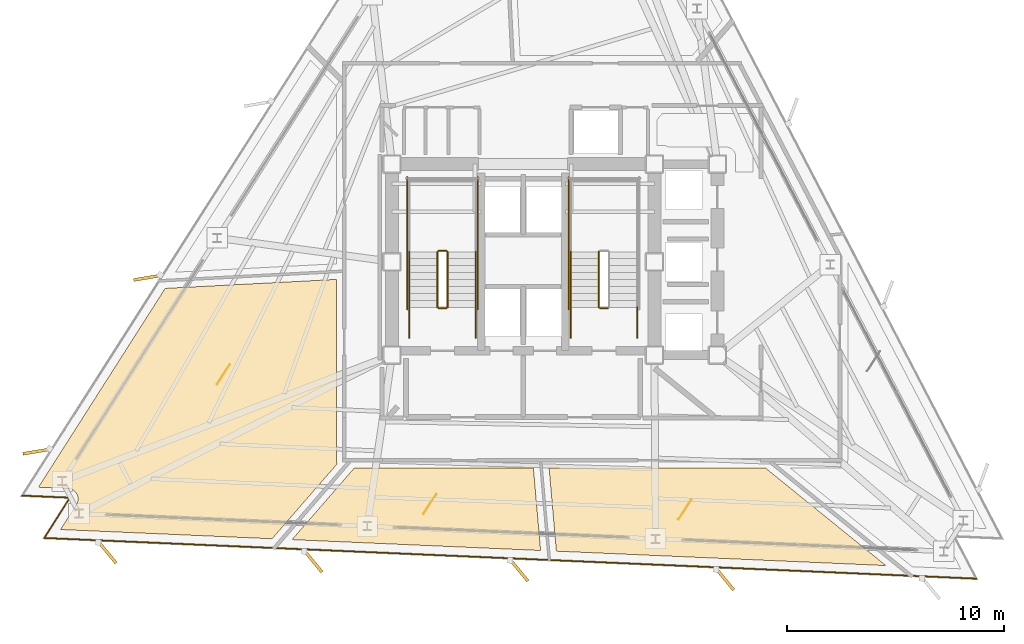
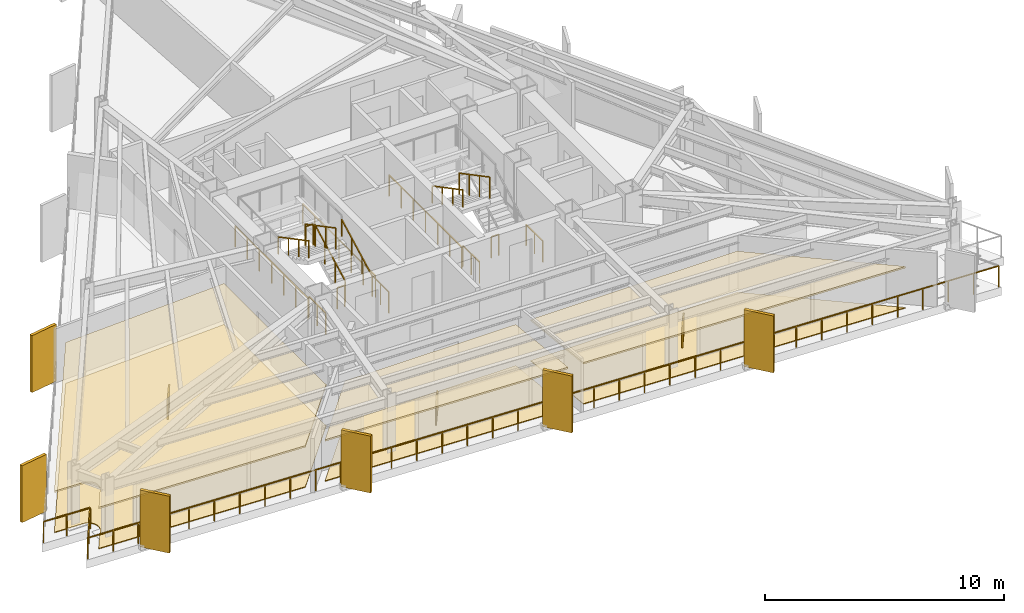
# One storey, part 10 of 12: 17 railings, 9 coverings, 6 shading devices.
"""IFC4 building model written with IfcOpenShell, lengths in metres."""

import ifcopenshell
import ifcopenshell.guid

model = None  # the IFC model being written
_history = None  # IfcOwnerHistory: only IFC2X3 demands one
_inside = {}  # id of a spatial element -> (the spatial element, [elements in it])
_under = {}  # id of a project, library or spatial element -> (it, [spatial elements below it])
_declared = {}  # id of a project -> (the project, [libraries it declares])
_typed = {}  # id of a type object -> (the type object, [elements of that type])
_made_of = {}  # id of a material, layer set ... -> (it, [elements and type objects made of it])


def new_model(schema):
    """Start an empty IFC model of exactly this schema.

    Asked for "IFC4X3", IfcOpenShell would pick the latest addendum, in which some entities
    have other attributes; the version numbers below select the first issue.
    IFC2X3 requires an IfcOwnerHistory on every rooted entity: one is made here for all.
    """
    global model, _history
    if schema == "IFC4X3":
        model = ifcopenshell.file(schema_version=(4, 3, 0, 0))
    else:
        model = ifcopenshell.file(schema=schema)
    _inside.clear()
    _under.clear()
    _declared.clear()
    _typed.clear()
    _made_of.clear()
    _history = None
    if model.schema == "IFC2X3":
        org = make("IfcOrganization", Name="unknown")
        user = make(
            "IfcPersonAndOrganization",
            ThePerson=make("IfcPerson", FamilyName="unknown"),
            TheOrganization=org,
        )
        app = make(
            "IfcApplication",
            ApplicationDeveloper=org,
            Version="unknown",
            ApplicationFullName="unknown",
            ApplicationIdentifier="unknown",
        )
        _history = make(
            "IfcOwnerHistory",
            OwningUser=user,
            OwningApplication=app,
            ChangeAction="ADDED",
            CreationDate=0,
        )
    return model


def make(cls, **values):
    """One entity of the class cls with the attributes given. An attribute that is None is left unset."""
    return model.create_entity(
        cls, **{name: value for name, value in values.items() if value is not None}
    )


def rooted(cls, **values):
    """An entity with a GlobalId (a new one), such as an element, a storey or a relation."""
    return make(cls, GlobalId=ifcopenshell.guid.new(), OwnerHistory=_history, **values)


def si_unit(unit_type, name, prefix=None):
    """IfcSIUnit, for example si_unit("LENGTHUNIT", "METRE", prefix="MILLI")."""
    return make("IfcSIUnit", UnitType=unit_type, Prefix=prefix, Name=name)


def assignment(units):
    """IfcUnitAssignment: the units of a project."""
    return None if units is None else make("IfcUnitAssignment", Units=units)


def point(xyz):
    """IfcCartesianPoint."""
    return None if xyz is None else make("IfcCartesianPoint", Coordinates=xyz)


def direction(xyz):
    """IfcDirection."""
    return None if xyz is None else make("IfcDirection", DirectionRatios=xyz)


def frame(location, z_axis=None, x_axis=None):
    """IfcAxis2Placement3D, a coordinate frame: its origin and axes. An axis left out is left unset."""
    return make(
        "IfcAxis2Placement3D",
        Location=point(location),
        Axis=direction(z_axis),
        RefDirection=direction(x_axis),
    )


def frame_2d(location, x_axis=None):
    """IfcAxis2Placement2D, a coordinate frame in the plane: its origin and x axis."""
    return make(
        "IfcAxis2Placement2D", Location=point(location), RefDirection=direction(x_axis)
    )


def origin():
    """The frame at (0, 0, 0) with its axes left unset."""
    return frame((0.0, 0.0, 0.0))


def origin_2d():
    """The frame at (0, 0) in the plane with its x axis left unset."""
    return frame_2d((0.0, 0.0))


def place(relative_to, where):
    """IfcLocalPlacement: puts the frame where relative to a parent placement (None: the world)."""
    return make(
        "IfcLocalPlacement", PlacementRelTo=relative_to, RelativePlacement=where
    )


def context(
    kind, dimensions, precision=None, world=None, true_north=None, identifier=None
):
    """IfcGeometricRepresentationContext, for example the 3D "Model" context."""
    return make(
        "IfcGeometricRepresentationContext",
        ContextIdentifier=identifier,
        ContextType=kind,
        CoordinateSpaceDimension=dimensions,
        Precision=precision,
        WorldCoordinateSystem=world,
        TrueNorth=true_north,
    )


def subcontext(parent, identifier, kind, view, scale=None):
    """IfcGeometricRepresentationSubContext, for example "Body" below "Model"."""
    return make(
        "IfcGeometricRepresentationSubContext",
        ContextIdentifier=identifier,
        ContextType=kind,
        ParentContext=parent,
        TargetScale=scale,
        TargetView=view,
    )


def project(units=None, contexts=None):
    """IfcProject with its units and contexts."""
    return rooted(
        "IfcProject",
        Name="project",
        RepresentationContexts=contexts,
        UnitsInContext=assignment(units),
    )


def spatial(cls, under=None, at=None, **own):
    """A site, building, storey or space (cls), placed at a placement, below another one or the project."""
    s = rooted(cls, ObjectPlacement=at, **own)
    if under is not None:
        _under.setdefault(under.id(), (under, []))[1].append(s)
    return s


def polyline(points):
    """IfcPolyline through the points."""
    return make("IfcPolyline", Points=[point(p) for p in points])


def profile(cls, at=None, kind="AREA", **sizes):
    """A parametric profile (cls). Its sizes go by their IFC names, for example OverallWidth=200.0."""
    return make(cls, ProfileType=kind, Position=at, **sizes)


def rectangle(**sizes):
    """IfcRectangleProfileDef."""
    return profile("IfcRectangleProfileDef", **sizes)


def outline(outer, holes=None, kind="AREA"):
    """IfcArbitraryClosedProfileDef: a profile drawn as a closed curve; with holes, ...WithVoids."""
    if holes is None:
        return make("IfcArbitraryClosedProfileDef", ProfileType=kind, OuterCurve=outer)
    return make(
        "IfcArbitraryProfileDefWithVoids",
        ProfileType=kind,
        OuterCurve=outer,
        InnerCurves=holes,
    )


def extrude(swept, where, along, depth):
    """IfcExtrudedAreaSolid: the profile swept, set in the frame where, extruded along a direction by depth."""
    return make(
        "IfcExtrudedAreaSolid",
        SweptArea=swept,
        Position=where,
        ExtrudedDirection=direction(along),
        Depth=depth,
    )


def shape(context_of_items, identifier, shape_type, items):
    """IfcShapeRepresentation: the items that make up one representation, for example the "Body"."""
    return make(
        "IfcShapeRepresentation",
        ContextOfItems=context_of_items,
        RepresentationIdentifier=identifier,
        RepresentationType=shape_type,
        Items=items,
    )


def material(Name=None, Category=None):
    """IfcMaterial."""
    return make("IfcMaterial", Name=Name, Category=Category)


def layer(
    of_material, thickness, ventilated=None, Name=None, Category=None, Priority=None
):
    """IfcMaterialLayer: one layer of a wall or slab, of a material (None: an air gap)."""
    return make(
        "IfcMaterialLayer",
        Material=of_material,
        LayerThickness=thickness,
        IsVentilated=ventilated,
        Name=Name,
        Category=Category,
        Priority=Priority,
    )


def layer_set(layers, Name=None):
    """IfcMaterialLayerSet."""
    return make("IfcMaterialLayerSet", MaterialLayers=layers, LayerSetName=Name)


def made_of(thing, what):
    """Note that an element or type object is made of a material, layer set ...; save() writes the relation."""
    if what is not None:
        _made_of.setdefault(what.id(), (what, []))[1].append(thing)
    return thing


def type_object(cls, material=None, **own):
    """A type object (cls), such as IfcWallType, which elements share."""
    return made_of(rooted(cls, **own), material)


def element(
    cls,
    number,
    at=None,
    inside=None,
    cuts=None,
    type_object=None,
    material=None,
    context=None,
    identifier="Body",
    shape_type=None,
    held_by="IfcProductDefinitionShape",
    body=None,
    shapes=None,
    **own,
):
    """One element of the class cls, such as IfcWall. Its Tag is "e" and its number.

    at: its placement. inside: the storey or other place that contains it. cuts: it is an
    opening in that element (IfcRelVoidsElement). A single representation is given by context,
    identifier, shape_type and body (its items); several are given by shapes. held_by: the class
    of the entity that holds the representations. save() writes the other relations.
    """
    e = rooted(cls, Tag="e%d" % number, ObjectPlacement=at, **own)
    if body is not None:
        shapes = [shape(context, identifier, shape_type, body)]
    if shapes is not None:
        e.Representation = make(held_by, Representations=shapes)
    if inside is not None:
        _inside.setdefault(inside.id(), (inside, []))[1].append(e)
    if cuts is not None:
        rooted(
            "IfcRelVoidsElement", RelatingBuildingElement=cuts, RelatedOpeningElement=e
        )
    if type_object is not None:
        _typed.setdefault(type_object.id(), (type_object, []))[1].append(e)
    return made_of(e, material)


def aggregate(whole, parts):
    """IfcRelAggregates: a whole, such as a stair, and the parts it consists of."""
    return rooted("IfcRelAggregates", RelatingObject=whole, RelatedObjects=parts)


def save(model, path):
    """Write the relations noted so far, then the file.

    IfcRelAggregates (storeys below a building ...), IfcRelContainedInSpatialStructure (elements
    in a storey), IfcRelDefinesByType, IfcRelAssociatesMaterial and IfcRelDeclares: one each for
    every whole, place, type object, material and project.
    """
    for whole, parts in _under.values():
        aggregate(whole, parts)
    for where, things in _inside.values():
        rooted(
            "IfcRelContainedInSpatialStructure",
            RelatedElements=things,
            RelatingStructure=where,
        )
    for kind, things in _typed.values():
        rooted("IfcRelDefinesByType", RelatedObjects=things, RelatingType=kind)
    for what, things in _made_of.values():
        rooted("IfcRelAssociatesMaterial", RelatedObjects=things, RelatingMaterial=what)
    for by, libraries in _declared.values():
        rooted("IfcRelDeclares", RelatingContext=by, RelatedDefinitions=libraries)
    model.write(path)


model = new_model("IFC4")

# Units and contexts
model_context = context("Model", 3, precision=1e-05, world=origin(), true_north=direction((0.0, 1.0)))
body_context = subcontext(model_context, "Body", "Model", "MODEL_VIEW")
ifc_project = project(units=[si_unit("LENGTHUNIT", "METRE"), si_unit("AREAUNIT", "SQUARE_METRE"), si_unit("VOLUMEUNIT", "CUBIC_METRE"), si_unit("PLANEANGLEUNIT", "RADIAN"), si_unit("MASSUNIT", "GRAM", prefix="KILO")], contexts=[model_context])

# Site, building, storey
site_placement = place(None, origin())
site = spatial("IfcSite", under=ifc_project, at=site_placement, CompositionType="ELEMENT")
building_placement = place(site_placement, origin())
building = spatial("IfcBuilding", under=site, at=building_placement, Name="Rocaltana Carrier Exchange", CompositionType="ELEMENT")
storey_placement = place(building_placement, frame((0.0, 0.0, 125.919921875)))
storey = spatial("IfcBuildingStorey", under=building, at=storey_placement, Name="L39", CompositionType="ELEMENT", Elevation=125.919921875)

# Coverings
ifc_material_1 = material(Name="Honed Bogota Sandstone Tile", Category="masonry")
ifc_layer_1 = layer(ifc_material_1, 0.0400390625)
ifc_layer_set_1 = layer_set([ifc_layer_1], Name="Honed Bogota Sandstone Tile")
covering_type_1 = type_object("IfcCoveringType", Name="Honed Stone Lobby Flooring 40", PredefinedType="FLOORING", material=ifc_layer_set_1)
covering_1_placement = place(storey_placement, origin())
element("IfcCovering", 1, at=covering_1_placement, inside=storey, type_object=covering_type_1, Name="L39 Carrier Peering Suite Finish Floor", PredefinedType="FLOORING", context=body_context, shape_type="SweptSolid", body=[
    extrude(outline(polyline([(-20.592041015625, -11.18798828125), (-20.584716796875, -11.176025390625), (-20.574951171875, -11.15869140625), (-20.562255859375, -11.1337890625), (-20.55419921875, -11.11572265625), (-20.544189453125, -11.089599609375), (-20.5380859375, -11.07080078125), (-20.530517578125, -11.043701171875), (-20.5263671875, -11.0244140625), (-20.521484375, -10.996826171875), (-20.519287109375, -10.97705078125), (-20.517333984375, -10.94921875), (-20.516845703125, -10.92919921875), (-20.517822265625, -10.9013671875), (-20.519287109375, -10.88134765625), (-20.523193359375, -10.853759765625), (-20.526611328125, -10.833984375), (-20.532958984375, -10.806884765625), (-20.53857421875, -10.787841796875), (-20.547607421875, -10.761474609375), (-20.554931640625, -10.742919921875), (-20.566650390625, -10.717529296875), (-20.575927734375, -10.69970703125), (-20.590087890625, -10.67578125), (-20.600830078125, -10.6591796875), (-20.6171875, -10.636474609375), (-20.6298828125, -10.62109375), (-20.6484375, -10.60009765625), (-20.66259765625, -10.5859375), (-20.68310546875, -10.567138671875), (-20.698486328125, -10.554443359375), (-20.720703125, -10.53759765625), (-20.7373046875, -10.526611328125), (-20.76123046875, -10.51220703125), (-20.77880859375, -10.502685546875), (-20.803955078125, -10.49072265625), (-20.822509765625, -10.483154296875), (-20.8486328125, -10.473876953125), (-20.867919921875, -10.468017578125), (-20.89501953125, -10.461181640625), (-20.91455078125, -10.45751953125), (-20.942138671875, -10.45361328125), (-20.9619140625, -10.45166015625), (-20.975830078125, -10.45068359375), (-22.34326171875, -10.39111328125), (-16.50390625, -1.225341796875), (-8.610107421875, -0.811767578125), (-8.610107421875, -9.14990234375), (-8.609619140625, -9.163818359375), (-8.609375, -9.171630859375), (-8.606689453125, -9.198974609375), (-8.60546875, -9.206787109375), (-8.60009765625, -9.233642578125), (-8.59814453125, -9.2412109375), (-8.590087890625, -9.267578125), (-8.58740234375, -9.27490234375), (-8.576904296875, -9.30029296875), (-8.57373046875, -9.307373046875), (-8.5712890625, -9.3115234375), (-11.576171875, -12.76806640625), (-21.327392578125, -12.34228515625), (-20.592041015625, -11.18798828125)])), origin(), (0.0, 0.0, 1.0), 0.0400390625),
])
covering_2_placement = place(storey_placement, origin())
element("IfcCovering", 2, at=covering_2_placement, inside=storey, type_object=covering_type_1, Name="L39 Carrier Peering Suite Finish Floor", PredefinedType="FLOORING", context=body_context, shape_type="SweptSolid", body=[
    extrude(outline(polyline([(-10.656982421875, -12.808349609375), (-7.789794921875, -9.510009765625), (0.470703125, -9.510009765625), (0.802978515625, -13.30859375), (-10.656982421875, -12.808349609375)])), origin(), (0.0, 0.0, 1.0), 0.0400390625),
])
covering_3_placement = place(storey_placement, origin())
element("IfcCovering", 3, at=covering_3_placement, inside=storey, type_object=covering_type_1, Name="L39 Cloud Architecture Office Finish Floor", PredefinedType="FLOORING", context=body_context, shape_type="SweptSolid", body=[
    extrude(outline(polyline([(1.528564453125, -13.34033203125), (1.193359375, -9.510009765625), (11.171875, -9.510009765625), (16.720947265625, -14.003662109375), (1.528564453125, -13.34033203125)])), origin(), (0.0, 0.0, 1.0), 0.0400390625),
])
ifc_material_2 = material(Name="Anodised Aluminium 6063-T6", Category="aluminium")
ifc_layer_2 = layer(ifc_material_2, 0.0849609375)
ifc_layer_set_2 = layer_set([ifc_layer_2], Name="Anodised Aluminium 6063-T6")
covering_type_2 = type_object("IfcCoveringType", Name="Linear Baffle Acoustic Ceiling 85", PredefinedType="CEILING", material=ifc_layer_set_2)
covering_4_placement = place(storey_placement, frame((0.0, 0.0, 2.052978515625)))
element("IfcCovering", 4, at=covering_4_placement, inside=storey, type_object=covering_type_2, Name="L39 Carrier Peering Suite Acoustic Ceiling", PredefinedType="CEILING", context=body_context, shape_type="SweptSolid", body=[
    extrude(outline(polyline([(-20.592041015625, -11.18798828125), (-20.584716796875, -11.176025390625), (-20.574951171875, -11.15869140625), (-20.562255859375, -11.1337890625), (-20.55419921875, -11.11572265625), (-20.544189453125, -11.089599609375), (-20.5380859375, -11.07080078125), (-20.530517578125, -11.043701171875), (-20.5263671875, -11.0244140625), (-20.521484375, -10.996826171875), (-20.519287109375, -10.97705078125), (-20.517333984375, -10.94921875), (-20.516845703125, -10.92919921875), (-20.517822265625, -10.9013671875), (-20.519287109375, -10.88134765625), (-20.523193359375, -10.853759765625), (-20.526611328125, -10.833984375), (-20.532958984375, -10.806884765625), (-20.53857421875, -10.787841796875), (-20.547607421875, -10.761474609375), (-20.554931640625, -10.742919921875), (-20.566650390625, -10.717529296875), (-20.575927734375, -10.69970703125), (-20.590087890625, -10.67578125), (-20.600830078125, -10.6591796875), (-20.6171875, -10.636474609375), (-20.6298828125, -10.62109375), (-20.6484375, -10.60009765625), (-20.66259765625, -10.5859375), (-20.68310546875, -10.567138671875), (-20.698486328125, -10.554443359375), (-20.720703125, -10.53759765625), (-20.7373046875, -10.526611328125), (-20.76123046875, -10.51220703125), (-20.77880859375, -10.502685546875), (-20.803955078125, -10.49072265625), (-20.822509765625, -10.483154296875), (-20.8486328125, -10.473876953125), (-20.867919921875, -10.468017578125), (-20.89501953125, -10.461181640625), (-20.91455078125, -10.45751953125), (-20.942138671875, -10.45361328125), (-20.9619140625, -10.45166015625), (-20.975830078125, -10.45068359375), (-22.34326171875, -10.39111328125), (-16.50390625, -1.225341796875), (-8.610107421875, -0.811767578125), (-8.610107421875, -9.14990234375), (-8.609619140625, -9.163818359375), (-8.609375, -9.171630859375), (-8.606689453125, -9.198974609375), (-8.60546875, -9.206787109375), (-8.60009765625, -9.233642578125), (-8.59814453125, -9.2412109375), (-8.590087890625, -9.267578125), (-8.58740234375, -9.27490234375), (-8.576904296875, -9.30029296875), (-8.57373046875, -9.307373046875), (-8.5712890625, -9.3115234375), (-11.576171875, -12.76806640625), (-21.327392578125, -12.34228515625), (-20.592041015625, -11.18798828125)])), origin(), (0.0, 0.0, 1.0), 0.085205078125),
])
covering_5_placement = place(storey_placement, frame((0.0, 0.0, 2.052978515625)))
element("IfcCovering", 5, at=covering_5_placement, inside=storey, type_object=covering_type_2, Name="L39 Carrier Peering Suite Acoustic Ceiling", PredefinedType="CEILING", context=body_context, shape_type="SweptSolid", body=[
    extrude(outline(polyline([(-10.656982421875, -12.808349609375), (-7.789794921875, -9.510009765625), (0.470703125, -9.510009765625), (0.802978515625, -13.30859375), (-10.656982421875, -12.808349609375)])), origin(), (0.0, 0.0, 1.0), 0.085205078125),
])
covering_6_placement = place(storey_placement, frame((0.0, 0.0, 2.052978515625)))
element("IfcCovering", 6, at=covering_6_placement, inside=storey, type_object=covering_type_2, Name="L39 Cloud Architecture Office Acoustic Ceiling", PredefinedType="CEILING", context=body_context, shape_type="SweptSolid", body=[
    extrude(outline(polyline([(1.528564453125, -13.34033203125), (1.193359375, -9.510009765625), (11.171875, -9.510009765625), (16.720947265625, -14.003662109375), (1.528564453125, -13.34033203125)])), origin(), (0.0, 0.0, 1.0), 0.085205078125),
])

# Railings
ifc_material_3 = material(Name="Brushed Architectural Stainless Tube", Category="steel")
ifc_layer_3 = layer(ifc_material_3, 0.048095703125)
ifc_layer_set_3 = layer_set([ifc_layer_3], Name="Brushed Architectural Stainless Tube")
railing_type_1 = type_object("IfcRailingType", Name="Stair Wall Handrail 920", PredefinedType="HANDRAIL", material=ifc_layer_set_3)
railing_1_placement = place(storey_placement, frame((-2.18994140625, -2.10009765625, 0.1689453125)))
element("IfcRailing", 7, at=railing_1_placement, inside=storey, type_object=railing_type_1, Name="L39 ST-1 stair handrail 1", PredefinedType="HANDRAIL", context=body_context, shape_type="SweptSolid", body=[
    extrude(rectangle(XDim=0.048095703125, YDim=0.048095703125, at=origin_2d()), frame((0.0, 0.0, 0.8759765625), z_axis=(0.0, 0.884394423565, 0.466740295633), x_axis=(-1.0, 0.0, 0.0)), (0.0, 0.0, 1.0), 2.894775390625),
    extrude(rectangle(XDim=0.0419921875, YDim=0.0419921875, at=origin_2d()), origin(), (0.0, 0.0, 1.0), 0.851806640625),
    extrude(rectangle(XDim=0.0419921875, YDim=0.0419921875, at=origin_2d()), frame((0.0, 0.853271484375, 0.450439453125)), (0.0, 0.0, 1.0), 0.851806640625),
    extrude(rectangle(XDim=0.0419921875, YDim=0.0419921875, at=origin_2d()), frame((0.0, 1.706787109375, 0.900634765625)), (0.0, 0.0, 1.0), 0.851806640625),
    extrude(rectangle(XDim=0.0419921875, YDim=0.0419921875, at=origin_2d()), frame((0.0, 2.56005859375, 1.35107421875)), (0.0, 0.0, 1.0), 0.851806640625),
])
for number, where, name in (
    (8, (-5.25, 0.4599609375, 1.68896484375), "L39 ST-1 stair handrail 2"),
    (9, (2.18994140625, 0.4599609375, 1.68896484375), "L39 ST-2 stair handrail 2"),
):
    element("IfcRailing", number, at=place(storey_placement, frame(where)), inside=storey, type_object=railing_type_1, Name=name, PredefinedType="HANDRAIL", context=body_context, shape_type="SweptSolid", body=[
        extrude(rectangle(XDim=0.048095703125, YDim=0.048095703125, at=origin_2d()), frame((0.0, 0.0, 0.8759765625), z_axis=(0.0, -0.884394423565, 0.466740295633), x_axis=(1.0, 0.0, 0.0)), (0.0, 0.0, 1.0), 2.894775390625),
        extrude(rectangle(XDim=0.0419921875, YDim=0.0419921875, at=origin_2d()), origin(), (0.0, 0.0, 1.0), 0.851806640625),
        extrude(rectangle(XDim=0.0419921875, YDim=0.0419921875, at=origin_2d()), frame((0.0, -0.853271484375, 0.450439453125)), (0.0, 0.0, 1.0), 0.851806640625),
        extrude(rectangle(XDim=0.0419921875, YDim=0.0419921875, at=origin_2d()), frame((0.0, -1.706787109375, 0.900634765625)), (0.0, 0.0, 1.0), 0.851806640625),
        extrude(rectangle(XDim=0.0419921875, YDim=0.0419921875, at=origin_2d()), frame((0.0, -2.56005859375, 1.35107421875)), (0.0, 0.0, 1.0), 0.851806640625),
    ])
ifc_material_4 = material(Name="Powder-Coated Aluminium 6063-T6", Category="aluminium")
ifc_layer_4 = layer(ifc_material_4, 0.048095703125)
ifc_layer_set_4 = layer_set([ifc_layer_4], Name="Powder-Coated Aluminium 6063-T6")
railing_type_2 = type_object("IfcRailingType", Name="Stair Well Guardrail 1100", PredefinedType="GUARDRAIL", material=ifc_layer_set_4)
railing_2_placement = place(storey_placement, frame((-3.489990234375, -2.10009765625, 0.1689453125)))
element("IfcRailing", 10, at=railing_2_placement, inside=storey, type_object=railing_type_2, Name="L39 ST-1 stair guard 1", PredefinedType="GUARDRAIL", context=body_context, shape_type="SweptSolid", body=[
    extrude(rectangle(XDim=0.048095703125, YDim=0.048095703125, at=origin_2d()), frame((0.0, 0.0, 1.076171875), z_axis=(0.0, 0.884394423565, 0.466740295633), x_axis=(-1.0, 0.0, 0.0)), (0.0, 0.0, 1.0), 2.894775390625),
    extrude(rectangle(XDim=0.0419921875, YDim=0.0419921875, at=origin_2d()), origin(), (0.0, 0.0, 1.0), 1.052001953125),
    extrude(rectangle(XDim=0.0419921875, YDim=0.0419921875, at=origin_2d()), frame((0.0, 0.853271484375, 0.450439453125)), (0.0, 0.0, 1.0), 1.052001953125),
    extrude(rectangle(XDim=0.0419921875, YDim=0.0419921875, at=origin_2d()), frame((0.0, 1.706787109375, 0.900634765625)), (0.0, 0.0, 1.0), 1.052001953125),
    extrude(rectangle(XDim=0.0419921875, YDim=0.0419921875, at=origin_2d()), frame((0.0, 2.56005859375, 1.35107421875)), (0.0, 0.0, 1.0), 1.052001953125),
])
railing_3_placement = place(storey_placement, frame((-3.5400390625, 0.510009765625, 1.52001953125)))
element("IfcRailing", 11, at=railing_3_placement, inside=storey, type_object=railing_type_2, Name="L39 ST-1 stair guard 2", PredefinedType="GUARDRAIL", context=body_context, shape_type="SweptSolid", body=[
    extrude(rectangle(XDim=0.048095703125, YDim=0.048095703125, at=origin_2d()), frame((0.0, 0.0, 1.076171875), z_axis=(-1.0, 0.0, 0.0), x_axis=(0.0, -1.0, 0.0)), (0.0, 0.0, 1.0), 0.35986328125),
    extrude(rectangle(XDim=0.0419921875, YDim=0.0419921875, at=origin_2d()), origin(), (0.0, 0.0, 1.0), 1.052001953125),
    extrude(rectangle(XDim=0.0419921875, YDim=0.0419921875, at=origin_2d()), frame((-0.35986328125, 0.0, 0.0)), (0.0, 0.0, 1.0), 1.052001953125),
])
railing_4_placement = place(storey_placement, frame((-3.949951171875, 0.4599609375, 1.68896484375)))
element("IfcRailing", 12, at=railing_4_placement, inside=storey, type_object=railing_type_2, Name="L39 ST-1 stair guard 6", PredefinedType="GUARDRAIL", context=body_context, shape_type="SweptSolid", body=[
    extrude(rectangle(XDim=0.048095703125, YDim=0.048095703125, at=origin_2d()), frame((0.0, 0.0, 1.076171875), z_axis=(0.0, -0.884394423565, 0.466740295633), x_axis=(1.0, 0.0, 0.0)), (0.0, 0.0, 1.0), 2.894775390625),
    extrude(rectangle(XDim=0.0419921875, YDim=0.0419921875, at=origin_2d()), origin(), (0.0, 0.0, 1.0), 1.052001953125),
    extrude(rectangle(XDim=0.0419921875, YDim=0.0419921875, at=origin_2d()), frame((0.0, -0.853271484375, 0.450439453125)), (0.0, 0.0, 1.0), 1.052001953125),
    extrude(rectangle(XDim=0.0419921875, YDim=0.0419921875, at=origin_2d()), frame((0.0, -1.706787109375, 0.900634765625)), (0.0, 0.0, 1.0), 1.052001953125),
    extrude(rectangle(XDim=0.0419921875, YDim=0.0419921875, at=origin_2d()), frame((0.0, -2.56005859375, 1.35107421875)), (0.0, 0.0, 1.0), 1.052001953125),
])
railing_5_placement = place(storey_placement, frame((-3.5400390625, -2.14990234375, 0.0)))
element("IfcRailing", 13, at=railing_5_placement, inside=storey, type_object=railing_type_2, Name="L39 ST-1 stair guard 7", PredefinedType="GUARDRAIL", context=body_context, shape_type="SweptSolid", body=[
    extrude(rectangle(XDim=0.048095703125, YDim=0.048095703125, at=origin_2d()), frame((0.0, 0.0, 1.076171875), z_axis=(-1.0, 0.0, 0.0), x_axis=(0.0, -1.0, 0.0)), (0.0, 0.0, 1.0), 0.35986328125),
    extrude(rectangle(XDim=0.0419921875, YDim=0.0419921875, at=origin_2d()), origin(), (0.0, 0.0, 1.0), 1.052001953125),
    extrude(rectangle(XDim=0.0419921875, YDim=0.0419921875, at=origin_2d()), frame((-0.35986328125, 0.0, 0.0)), (0.0, 0.0, 1.0), 1.052001953125),
])
for number, where, name in (
    (14, (-2.18994140625, -3.5, 0.0), "L39 ST-1 stair guard 8"),
    (15, (-5.25, -3.5, 0.0), "L39 ST-1 stair guard 9"),
):
    element("IfcRailing", number, at=place(storey_placement, frame(where)), inside=storey, type_object=railing_type_2, Name=name, PredefinedType="GUARDRAIL", context=body_context, shape_type="SweptSolid", body=[
        extrude(rectangle(XDim=0.048095703125, YDim=0.048095703125, at=origin_2d()), frame((0.0, 0.0, 1.076171875), z_axis=(0.0, 1.0, 0.0), x_axis=(-1.0, 0.0, 0.0)), (0.0, 0.0, 1.0), 1.39990234375),
        extrude(rectangle(XDim=0.0419921875, YDim=0.0419921875, at=origin_2d()), origin(), (0.0, 0.0, 1.0), 1.052001953125),
        extrude(rectangle(XDim=0.0419921875, YDim=0.0419921875, at=origin_2d()), frame((0.0, 0.699951171875, 0.0)), (0.0, 0.0, 1.0), 1.052001953125),
        extrude(rectangle(XDim=0.0419921875, YDim=0.0419921875, at=origin_2d()), frame((0.0, 1.39990234375, 0.0)), (0.0, 0.0, 1.0), 1.052001953125),
    ])
for number, where, name in (
    (16, (-2.090087890625, -2.199951171875, 0.0), "L39 ST-1 stair guard 10"),
    (17, (-5.35009765625, -2.199951171875, 0.0), "L39 ST-1 stair guard 11"),
):
    element("IfcRailing", number, at=place(storey_placement, frame(where)), inside=storey, type_object=railing_type_2, Name=name, PredefinedType="GUARDRAIL", context=body_context, shape_type="SweptSolid", body=[
        extrude(rectangle(XDim=0.048095703125, YDim=0.048095703125, at=origin_2d()), frame((0.0, 0.0, 1.076171875), z_axis=(0.0, 1.0, 0.0), x_axis=(-1.0, 0.0, 0.0)), (0.0, 0.0, 1.0), 6.099853515625),
        extrude(rectangle(XDim=0.0419921875, YDim=0.0419921875, at=origin_2d()), origin(), (0.0, 0.0, 1.0), 1.052001953125),
        extrude(rectangle(XDim=0.0419921875, YDim=0.0419921875, at=origin_2d()), frame((0.0, 1.0166015625, 0.0)), (0.0, 0.0, 1.0), 1.052001953125),
        extrude(rectangle(XDim=0.0419921875, YDim=0.0419921875, at=origin_2d()), frame((0.0, 2.033203125, 0.0)), (0.0, 0.0, 1.0), 1.052001953125),
        extrude(rectangle(XDim=0.0419921875, YDim=0.0419921875, at=origin_2d()), frame((0.0, 3.0498046875, 0.0)), (0.0, 0.0, 1.0), 1.052001953125),
        extrude(rectangle(XDim=0.0419921875, YDim=0.0419921875, at=origin_2d()), frame((0.0, 4.066650390625, 0.0)), (0.0, 0.0, 1.0), 1.052001953125),
        extrude(rectangle(XDim=0.0419921875, YDim=0.0419921875, at=origin_2d()), frame((0.0, 5.083251953125, 0.0)), (0.0, 0.0, 1.0), 1.052001953125),
        extrude(rectangle(XDim=0.0419921875, YDim=0.0419921875, at=origin_2d()), frame((0.0, 6.099853515625, 0.0)), (0.0, 0.0, 1.0), 1.052001953125),
    ])
railing_6_placement = place(storey_placement, frame((3.489990234375, 0.4599609375, 1.68896484375)))
element("IfcRailing", 18, at=railing_6_placement, inside=storey, type_object=railing_type_2, Name="L39 ST-2 stair guard 6", PredefinedType="GUARDRAIL", context=body_context, shape_type="SweptSolid", body=[
    extrude(rectangle(XDim=0.048095703125, YDim=0.048095703125, at=origin_2d()), frame((0.0, 0.0, 1.076171875), z_axis=(0.0, -0.884394423565, 0.466740295633), x_axis=(1.0, 0.0, 0.0)), (0.0, 0.0, 1.0), 2.894775390625),
    extrude(rectangle(XDim=0.0419921875, YDim=0.0419921875, at=origin_2d()), origin(), (0.0, 0.0, 1.0), 1.052001953125),
    extrude(rectangle(XDim=0.0419921875, YDim=0.0419921875, at=origin_2d()), frame((0.0, -0.853271484375, 0.450439453125)), (0.0, 0.0, 1.0), 1.052001953125),
    extrude(rectangle(XDim=0.0419921875, YDim=0.0419921875, at=origin_2d()), frame((0.0, -1.706787109375, 0.900634765625)), (0.0, 0.0, 1.0), 1.052001953125),
    extrude(rectangle(XDim=0.0419921875, YDim=0.0419921875, at=origin_2d()), frame((0.0, -2.56005859375, 1.35107421875)), (0.0, 0.0, 1.0), 1.052001953125),
])
railing_7_placement = place(storey_placement, frame((3.89990234375, -2.14990234375, 0.0)))
element("IfcRailing", 19, at=railing_7_placement, inside=storey, type_object=railing_type_2, Name="L39 ST-2 stair guard 7", PredefinedType="GUARDRAIL", context=body_context, shape_type="SweptSolid", body=[
    extrude(rectangle(XDim=0.048095703125, YDim=0.048095703125, at=origin_2d()), frame((0.0, 0.0, 1.076171875), z_axis=(-1.0, 0.0, 0.0), x_axis=(0.0, -1.0, 0.0)), (0.0, 0.0, 1.0), 0.35986328125),
    extrude(rectangle(XDim=0.0419921875, YDim=0.0419921875, at=origin_2d()), origin(), (0.0, 0.0, 1.0), 1.052001953125),
    extrude(rectangle(XDim=0.0419921875, YDim=0.0419921875, at=origin_2d()), frame((-0.35986328125, 0.0, 0.0)), (0.0, 0.0, 1.0), 1.052001953125),
])
for number, where, name in (
    (20, (5.25, -3.5, 0.0), "L39 ST-2 stair guard 8"),
    (21, (2.18994140625, -3.5, 0.0), "L39 ST-2 stair guard 9"),
):
    element("IfcRailing", number, at=place(storey_placement, frame(where)), inside=storey, type_object=railing_type_2, Name=name, PredefinedType="GUARDRAIL", context=body_context, shape_type="SweptSolid", body=[
        extrude(rectangle(XDim=0.048095703125, YDim=0.048095703125, at=origin_2d()), frame((0.0, 0.0, 1.076171875), z_axis=(0.0, 1.0, 0.0), x_axis=(-1.0, 0.0, 0.0)), (0.0, 0.0, 1.0), 1.39990234375),
        extrude(rectangle(XDim=0.0419921875, YDim=0.0419921875, at=origin_2d()), origin(), (0.0, 0.0, 1.0), 1.052001953125),
        extrude(rectangle(XDim=0.0419921875, YDim=0.0419921875, at=origin_2d()), frame((0.0, 0.699951171875, 0.0)), (0.0, 0.0, 1.0), 1.052001953125),
        extrude(rectangle(XDim=0.0419921875, YDim=0.0419921875, at=origin_2d()), frame((0.0, 1.39990234375, 0.0)), (0.0, 0.0, 1.0), 1.052001953125),
    ])
railing_8_placement = place(storey_placement, frame((2.090087890625, -2.199951171875, 0.0)))
element("IfcRailing", 22, at=railing_8_placement, inside=storey, type_object=railing_type_2, Name="L39 ST-2 stair guard 11", PredefinedType="GUARDRAIL", context=body_context, shape_type="SweptSolid", body=[
    extrude(rectangle(XDim=0.048095703125, YDim=0.048095703125, at=origin_2d()), frame((0.0, 0.0, 1.076171875), z_axis=(0.0, 1.0, 0.0), x_axis=(-1.0, 0.0, 0.0)), (0.0, 0.0, 1.0), 6.099853515625),
    extrude(rectangle(XDim=0.0419921875, YDim=0.0419921875, at=origin_2d()), origin(), (0.0, 0.0, 1.0), 1.052001953125),
    extrude(rectangle(XDim=0.0419921875, YDim=0.0419921875, at=origin_2d()), frame((0.0, 1.0166015625, 0.0)), (0.0, 0.0, 1.0), 1.052001953125),
    extrude(rectangle(XDim=0.0419921875, YDim=0.0419921875, at=origin_2d()), frame((0.0, 2.033203125, 0.0)), (0.0, 0.0, 1.0), 1.052001953125),
    extrude(rectangle(XDim=0.0419921875, YDim=0.0419921875, at=origin_2d()), frame((0.0, 3.0498046875, 0.0)), (0.0, 0.0, 1.0), 1.052001953125),
    extrude(rectangle(XDim=0.0419921875, YDim=0.0419921875, at=origin_2d()), frame((0.0, 4.066650390625, 0.0)), (0.0, 0.0, 1.0), 1.052001953125),
    extrude(rectangle(XDim=0.0419921875, YDim=0.0419921875, at=origin_2d()), frame((0.0, 5.083251953125, 0.0)), (0.0, 0.0, 1.0), 1.052001953125),
    extrude(rectangle(XDim=0.0419921875, YDim=0.0419921875, at=origin_2d()), frame((0.0, 6.099853515625, 0.0)), (0.0, 0.0, 1.0), 1.052001953125),
])

# Coverings
ifc_material_5 = material(Name="Honed Piedra Muneca Sandstone", Category="masonry")
ifc_layer_5 = layer(ifc_material_5, 0.034912109375)
ifc_layer_set_5 = layer_set([ifc_layer_5], Name="Honed Piedra Muneca Sandstone")
covering_type_3 = type_object("IfcCoveringType", Name="Stone Facade Cladding 35", PredefinedType="CLADDING", material=ifc_layer_set_5)
for number, where, z_axis, x_axis, name in (
    (23, (-13.819091796875, -5.187744140625, 0.0), (0.0, 0.0, 1.0), (0.544639035015, 0.838670567945, 0.0), "L39 Stone Facade Cladding Panel 1"),
    (24, (-4.30419921875, -11.1591796875, 0.0), (0.0, 0.0, 1.0), (0.544639035015, 0.838670567945, 0.0), "L39 Stone Facade Cladding Panel 2"),
    (25, (7.448974609375, -11.425048828125, 0.0), (0.0, 0.0, 1.0), (0.544639035015, 0.838670567945, 0.0), "L39 Stone Facade Cladding Panel 3"),
):
    element("IfcCovering", number, at=place(storey_placement, frame(where, z_axis=z_axis, x_axis=x_axis)), inside=storey, type_object=covering_type_3, Name=name, PredefinedType="CLADDING", context=body_context, shape_type="SweptSolid", body=[
        extrude(rectangle(XDim=1.10009765625, YDim=0.034912109375, at=origin_2d()), origin(), (0.0, 0.0, 1.0), 1.050048828125),
    ])

# Shading devices
ifc_material_6 = material(Name="Honed Bogota Sandstone & Concrete C45/55", Category="masonry")
ifc_layer_6 = layer(ifc_material_6, 0.139892578125)
ifc_layer_set_6 = layer_set([ifc_layer_6], Name="Honed Bogota Sandstone & Concrete C45/55")
shading_device_type = type_object("IfcShadingDeviceType", Name="Vertical Sandstone Shading Fin 1320x140", PredefinedType="USERDEFINED", material=ifc_layer_set_6)
for number, where, z_axis, x_axis, name in (
    (26, (-17.3046875, -0.7314453125, -0.1201171875), (0.0, 0.0, 1.0), (-0.986285601537, -0.165047605861, 0.0), "L39 Sandstone Vertical Fin F2-04"),
    (27, (-22.4091796875, -8.743896484375, -0.1201171875), (0.0, 0.0, 1.0), (-0.986285601537, -0.165047605861, 0.0), "L39 Sandstone Vertical Fin F2-05"),
    (28, (-19.18701171875, -13.37744140625, -0.1201171875), (0.0, 0.0, 1.0), (0.636078220278, -0.771624583388, 0.0), "L39 Sandstone Vertical Fin F3-01"),
    (29, (-9.696044921875, -13.7919921875, -0.1201171875), (0.0, 0.0, 1.0), (0.636078220278, -0.771624583388, 0.0), "L39 Sandstone Vertical Fin F3-02"),
    (30, (-0.205078125, -14.206298828125, -0.1201171875), (0.0, 0.0, 1.0), (0.636078220278, -0.771624583388, 0.0), "L39 Sandstone Vertical Fin F3-03"),
    (31, (9.285888671875, -14.62060546875, -0.1201171875), (0.0, 0.0, 1.0), (0.636078220278, -0.771624583388, 0.0), "L39 Sandstone Vertical Fin F3-04"),
):
    element("IfcShadingDevice", number, at=place(storey_placement, frame(where, z_axis=z_axis, x_axis=x_axis)), inside=storey, type_object=shading_device_type, Name=name, ObjectType="FIN", PredefinedType="USERDEFINED", context=body_context, shape_type="SweptSolid", body=[
        extrude(rectangle(XDim=1.320068359375, YDim=0.139892578125, at=origin_2d()), origin(), (0.0, 0.0, 1.0), 2.907958984375),
    ])

# Railing
ifc_material_7 = material(Name="Powder-Coated Aluminium 6063-T6", Category="aluminium")
ifc_layer_7 = layer(ifc_material_7, 0.06005859375)
ifc_layer_set_7 = layer_set([ifc_layer_7], Name="Powder-Coated Aluminium 6063-T6")
railing_type_3 = type_object("IfcRailingType", Name="Wind-Floor & Terrace Perimeter Guardrail 1100", PredefinedType="GUARDRAIL", material=ifc_layer_set_7)
railing_9_placement = place(storey_placement, frame((20.87890625, -14.60546875, 0.0)))
element("IfcRailing", 32, at=railing_9_placement, inside=storey, type_object=railing_type_3, Name="L39 Perimeter Balcony Guardrail 1", PredefinedType="GUARDRAIL", context=body_context, shape_type="SweptSolid", body=[
    extrude(rectangle(XDim=0.048095703125, YDim=0.048095703125, at=origin_2d()), frame((0.0, 0.0, 1.076171875), z_axis=(-0.999048277514, 0.043618106279, 0.0), x_axis=(-0.043618106279, -0.999048277514, 0.0)), (0.0, 0.0, 1.0), 42.992431640625),
    extrude(rectangle(XDim=0.048095703125, YDim=0.048095703125, at=origin_2d()), frame((-42.951416015625, 1.875244140625, 1.076171875), z_axis=(0.537320606179, 0.843378068351, 0.0), x_axis=(-0.843378068351, 0.537320606179, 0.0)), (0.0, 0.0, 1.0), 2.199951171875),
    extrude(rectangle(XDim=0.048095703125, YDim=0.048095703125, at=origin_2d()), frame((-41.769287109375, 3.730712890625, 1.076171875), z_axis=(-0.999048605837, 0.043610585593, 0.0), x_axis=(-0.043610585593, -0.999048605837, 0.0)), (0.0, 0.0, 1.0), 2.2001953125),
    extrude(rectangle(XDim=0.0419921875, YDim=0.0419921875, at=origin_2d()), origin(), (0.0, 0.0, 1.0), 1.052001953125),
    extrude(rectangle(XDim=0.0419921875, YDim=0.0419921875, at=origin_2d()), frame((-1.193115234375, 0.052001953125, 0.0)), (0.0, 0.0, 1.0), 1.052001953125),
    extrude(rectangle(XDim=0.0419921875, YDim=0.0419921875, at=origin_2d()), frame((-2.38623046875, 0.104248046875, 0.0)), (0.0, 0.0, 1.0), 1.052001953125),
    extrude(rectangle(XDim=0.0419921875, YDim=0.0419921875, at=origin_2d()), frame((-3.579345703125, 0.15625, 0.0)), (0.0, 0.0, 1.0), 1.052001953125),
    extrude(rectangle(XDim=0.0419921875, YDim=0.0419921875, at=origin_2d()), frame((-4.7724609375, 0.208251953125, 0.0)), (0.0, 0.0, 1.0), 1.052001953125),
    extrude(rectangle(XDim=0.0419921875, YDim=0.0419921875, at=origin_2d()), frame((-5.965576171875, 0.260498046875, 0.0)), (0.0, 0.0, 1.0), 1.052001953125),
    extrude(rectangle(XDim=0.0419921875, YDim=0.0419921875, at=origin_2d()), frame((-7.15869140625, 0.3125, 0.0)), (0.0, 0.0, 1.0), 1.052001953125),
    extrude(rectangle(XDim=0.0419921875, YDim=0.0419921875, at=origin_2d()), frame((-8.3515625, 0.36474609375, 0.0)), (0.0, 0.0, 1.0), 1.052001953125),
    extrude(rectangle(XDim=0.0419921875, YDim=0.0419921875, at=origin_2d()), frame((-9.544677734375, 0.416748046875, 0.0)), (0.0, 0.0, 1.0), 1.052001953125),
    extrude(rectangle(XDim=0.0419921875, YDim=0.0419921875, at=origin_2d()), frame((-10.73779296875, 0.46875, 0.0)), (0.0, 0.0, 1.0), 1.052001953125),
    extrude(rectangle(XDim=0.0419921875, YDim=0.0419921875, at=origin_2d()), frame((-11.930908203125, 0.52099609375, 0.0)), (0.0, 0.0, 1.0), 1.052001953125),
    extrude(rectangle(XDim=0.0419921875, YDim=0.0419921875, at=origin_2d()), frame((-13.1240234375, 0.572998046875, 0.0)), (0.0, 0.0, 1.0), 1.052001953125),
    extrude(rectangle(XDim=0.0419921875, YDim=0.0419921875, at=origin_2d()), frame((-14.317138671875, 0.625, 0.0)), (0.0, 0.0, 1.0), 1.052001953125),
    extrude(rectangle(XDim=0.0419921875, YDim=0.0419921875, at=origin_2d()), frame((-15.51025390625, 0.67724609375, 0.0)), (0.0, 0.0, 1.0), 1.052001953125),
    extrude(rectangle(XDim=0.0419921875, YDim=0.0419921875, at=origin_2d()), frame((-16.703369140625, 0.729248046875, 0.0)), (0.0, 0.0, 1.0), 1.052001953125),
    extrude(rectangle(XDim=0.0419921875, YDim=0.0419921875, at=origin_2d()), frame((-17.896484375, 0.78125, 0.0)), (0.0, 0.0, 1.0), 1.052001953125),
    extrude(rectangle(XDim=0.0419921875, YDim=0.0419921875, at=origin_2d()), frame((-19.089599609375, 0.83349609375, 0.0)), (0.0, 0.0, 1.0), 1.052001953125),
    extrude(rectangle(XDim=0.0419921875, YDim=0.0419921875, at=origin_2d()), frame((-20.28271484375, 0.885498046875, 0.0)), (0.0, 0.0, 1.0), 1.052001953125),
    extrude(rectangle(XDim=0.0419921875, YDim=0.0419921875, at=origin_2d()), frame((-21.4755859375, 0.9375, 0.0)), (0.0, 0.0, 1.0), 1.052001953125),
    extrude(rectangle(XDim=0.0419921875, YDim=0.0419921875, at=origin_2d()), frame((-22.668701171875, 0.98974609375, 0.0)), (0.0, 0.0, 1.0), 1.052001953125),
    extrude(rectangle(XDim=0.0419921875, YDim=0.0419921875, at=origin_2d()), frame((-23.86181640625, 1.041748046875, 0.0)), (0.0, 0.0, 1.0), 1.052001953125),
    extrude(rectangle(XDim=0.0419921875, YDim=0.0419921875, at=origin_2d()), frame((-25.054931640625, 1.093994140625, 0.0)), (0.0, 0.0, 1.0), 1.052001953125),
    extrude(rectangle(XDim=0.0419921875, YDim=0.0419921875, at=origin_2d()), frame((-26.248046875, 1.14599609375, 0.0)), (0.0, 0.0, 1.0), 1.052001953125),
    extrude(rectangle(XDim=0.0419921875, YDim=0.0419921875, at=origin_2d()), frame((-27.441162109375, 1.197998046875, 0.0)), (0.0, 0.0, 1.0), 1.052001953125),
    extrude(rectangle(XDim=0.0419921875, YDim=0.0419921875, at=origin_2d()), frame((-28.63427734375, 1.250244140625, 0.0)), (0.0, 0.0, 1.0), 1.052001953125),
    extrude(rectangle(XDim=0.0419921875, YDim=0.0419921875, at=origin_2d()), frame((-29.827392578125, 1.30224609375, 0.0)), (0.0, 0.0, 1.0), 1.052001953125),
    extrude(rectangle(XDim=0.0419921875, YDim=0.0419921875, at=origin_2d()), frame((-31.0205078125, 1.354248046875, 0.0)), (0.0, 0.0, 1.0), 1.052001953125),
    extrude(rectangle(XDim=0.0419921875, YDim=0.0419921875, at=origin_2d()), frame((-32.213623046875, 1.406494140625, 0.0)), (0.0, 0.0, 1.0), 1.052001953125),
    extrude(rectangle(XDim=0.0419921875, YDim=0.0419921875, at=origin_2d()), frame((-33.40673828125, 1.45849609375, 0.0)), (0.0, 0.0, 1.0), 1.052001953125),
    extrude(rectangle(XDim=0.0419921875, YDim=0.0419921875, at=origin_2d()), frame((-34.599853515625, 1.510498046875, 0.0)), (0.0, 0.0, 1.0), 1.052001953125),
    extrude(rectangle(XDim=0.0419921875, YDim=0.0419921875, at=origin_2d()), frame((-35.79296875, 1.562744140625, 0.0)), (0.0, 0.0, 1.0), 1.052001953125),
    extrude(rectangle(XDim=0.0419921875, YDim=0.0419921875, at=origin_2d()), frame((-36.98583984375, 1.61474609375, 0.0)), (0.0, 0.0, 1.0), 1.052001953125),
    extrude(rectangle(XDim=0.0419921875, YDim=0.0419921875, at=origin_2d()), frame((-38.178955078125, 1.6669921875, 0.0)), (0.0, 0.0, 1.0), 1.052001953125),
    extrude(rectangle(XDim=0.0419921875, YDim=0.0419921875, at=origin_2d()), frame((-39.3720703125, 1.718994140625, 0.0)), (0.0, 0.0, 1.0), 1.052001953125),
    extrude(rectangle(XDim=0.0419921875, YDim=0.0419921875, at=origin_2d()), frame((-40.565185546875, 1.77099609375, 0.0)), (0.0, 0.0, 1.0), 1.052001953125),
    extrude(rectangle(XDim=0.0419921875, YDim=0.0419921875, at=origin_2d()), frame((-41.75830078125, 1.8232421875, 0.0)), (0.0, 0.0, 1.0), 1.052001953125),
    extrude(rectangle(XDim=0.0419921875, YDim=0.0419921875, at=origin_2d()), frame((-42.951416015625, 1.875244140625, 0.0)), (0.0, 0.0, 1.0), 1.052001953125),
    extrude(rectangle(XDim=0.0419921875, YDim=0.0419921875, at=origin_2d()), frame((-42.3603515625, 2.802978515625, 0.0)), (0.0, 0.0, 1.0), 1.052001953125),
    extrude(rectangle(XDim=0.0419921875, YDim=0.0419921875, at=origin_2d()), frame((-41.769287109375, 3.730712890625, 0.0)), (0.0, 0.0, 1.0), 1.052001953125),
    extrude(rectangle(XDim=0.0419921875, YDim=0.0419921875, at=origin_2d()), frame((-42.8681640625, 3.77880859375, 0.0)), (0.0, 0.0, 1.0), 1.052001953125),
    extrude(rectangle(XDim=0.0419921875, YDim=0.0419921875, at=origin_2d()), frame((-43.96728515625, 3.82666015625, 0.0)), (0.0, 0.0, 1.0), 1.052001953125),
])

save(model, "model.ifc")
